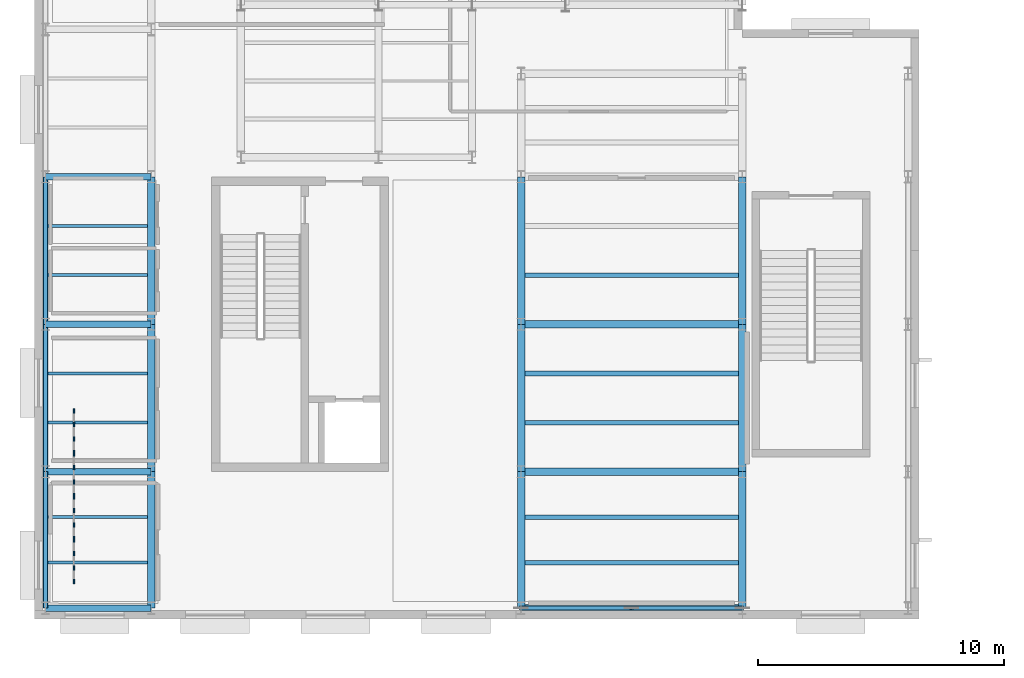
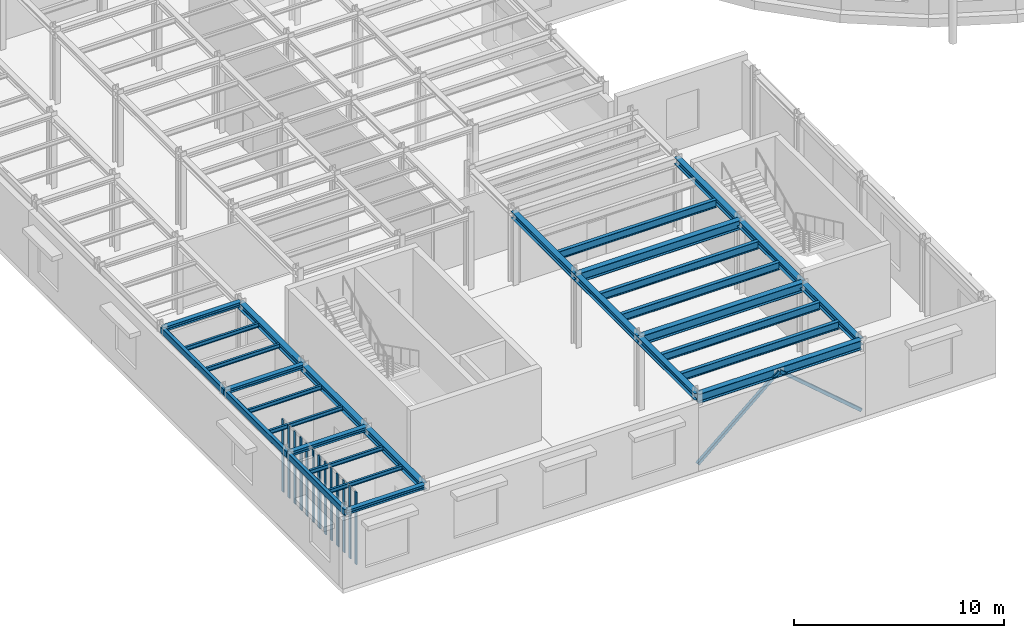
# One storey, part 17 of 91: 30 beams, 18 members, 4 elements without a shape of their own.
"""IFC4 building model written with IfcOpenShell, lengths in metres."""

from ifc_helpers import new_model, si_unit, direction, frame, origin, origin_2d, place, context, subcontext, project, spatial, rectangle, hollow_rectangle, i_section, extrude, material, material_profile, profile_set, type_object, element, aggregate, save


model = new_model("IFC4")

# Units and contexts
model_context = context("Model", 3, precision=1e-05, world=origin(), true_north=direction((0.0, 1.0)))
body_context = subcontext(model_context, "Body", "Model", "MODEL_VIEW")
ifc_project = project(units=[si_unit("LENGTHUNIT", "METRE"), si_unit("AREAUNIT", "SQUARE_METRE"), si_unit("VOLUMEUNIT", "CUBIC_METRE"), si_unit("PLANEANGLEUNIT", "RADIAN"), si_unit("MASSUNIT", "GRAM", prefix="KILO")], contexts=[model_context])

# Site, building, storey
site_placement = place(None, origin())
site = spatial("IfcSite", under=ifc_project, at=site_placement, CompositionType="ELEMENT")
building_placement = place(site_placement, origin())
building = spatial("IfcBuilding", under=site, at=building_placement, Name="Kolvaren Corner Interchange", CompositionType="ELEMENT")
storey_placement = place(building_placement, frame((0.0, 0.0, 6.0)))
storey = spatial("IfcBuildingStorey", under=building, at=storey_placement, Name="L02", CompositionType="ELEMENT", Elevation=6.0)

# Beams
ifc_material_1 = material(Name="Steel S355", Category="steel")
ifc_material_profile_1 = material_profile(ifc_material_1, i_section(OverallWidth=0.260009765625, OverallDepth=0.25, WebThickness=0.007568359375, FlangeThickness=0.012451171875, FilletRadius=0.02392578125, at=origin_2d()), Name="HEA 260")
ifc_profile_set_1 = profile_set([ifc_material_profile_1], Name="Steel S355")
beam_type_1 = type_object("IfcBeamType", Name="BM-HEA260", PredefinedType="BEAM", material=ifc_profile_set_1)
for number, where, z_axis, x_axis, name in (
    (1, (0.449951171875, 0.449951171875, 4.125), (1.0, 0.0, 0.0), (0.0, 1.0, 0.0), "Storey L02 Grid X Primary Girder 0670"),
    (2, (0.449951171875, 6.0, 4.125), (1.0, 0.0, 0.0), (0.0, 1.0, 0.0), "Storey L02 Grid X Primary Girder 0672"),
    (3, (0.449951171875, 12.0, 4.125), (1.0, 0.0, 0.0), (0.0, 1.0, 0.0), "Storey L02 Grid X Primary Girder 0674"),
    (4, (0.449951171875, 18.0, 4.125), (1.0, 0.0, 0.0), (0.0, 1.0, 0.0), "Storey L02 Grid X Primary Girder 0679"),
):
    element("IfcBeam", number, at=place(storey_placement, frame(where, z_axis=z_axis, x_axis=x_axis)), inside=storey, type_object=beam_type_1, Name=name, PredefinedType="BEAM", context=body_context, shape_type="SweptSolid", body=[
        extrude(i_section(OverallWidth=0.260009765625, OverallDepth=0.25, WebThickness=0.007568359375, FlangeThickness=0.012451171875, FilletRadius=0.02392578125, at=origin_2d()), origin(), (0.0, 0.0, 1.0), 4.300048828125),
    ])
ifc_material_2 = material(Name="Steel S355", Category="steel")
ifc_material_profile_2 = material_profile(ifc_material_2, i_section(OverallWidth=0.300048828125, OverallDepth=0.389892578125, WebThickness=0.010986328125, FlangeThickness=0.01904296875, FilletRadius=0.027099609375, at=origin_2d()), Name="HEA 400")
ifc_profile_set_2 = profile_set([ifc_material_profile_2], Name="Steel S355")
beam_type_2 = type_object("IfcBeamType", Name="BM-HEA400", PredefinedType="BEAM", material=ifc_profile_set_2)
beam_1_placement = place(storey_placement, frame((4.75, 0.449951171875, 4.054931640625), z_axis=(0.0, 1.0, 0.0), x_axis=(-1.0, 0.0, 0.0)))
element("IfcBeam", 5, at=beam_1_placement, inside=storey, type_object=beam_type_2, Name="Storey L02 Grid Y Primary Girder 0754", PredefinedType="BEAM", context=body_context, shape_type="SweptSolid", body=[
    extrude(i_section(OverallWidth=0.300048828125, OverallDepth=0.389892578125, WebThickness=0.010986328125, FlangeThickness=0.01904296875, FilletRadius=0.027099609375, at=origin_2d()), origin(), (0.0, 0.0, 1.0), 5.550048828125),
])
for number, where, z_axis, x_axis, name in (
    (6, (4.75, 6.0, 4.054931640625), (0.0, 1.0, 0.0), (-1.0, 0.0, 0.0), "Storey L02 Grid Y Primary Girder 0755"),
    (7, (4.75, 12.0, 4.054931640625), (0.0, 1.0, 0.0), (-1.0, 0.0, 0.0), "Storey L02 Grid Y Primary Girder 0756"),
):
    element("IfcBeam", number, at=place(storey_placement, frame(where, z_axis=z_axis, x_axis=x_axis)), inside=storey, type_object=beam_type_2, Name=name, PredefinedType="BEAM", context=body_context, shape_type="SweptSolid", body=[
        extrude(i_section(OverallWidth=0.300048828125, OverallDepth=0.389892578125, WebThickness=0.010986328125, FlangeThickness=0.01904296875, FilletRadius=0.027099609375, at=origin_2d()), origin(), (0.0, 0.0, 1.0), 6.0),
    ])
beam_2_placement = place(storey_placement, frame((19.800048828125, 0.449951171875, 4.054931640625), z_axis=(0.0, 1.0, 0.0), x_axis=(-1.0, 0.0, 0.0)))
element("IfcBeam", 8, at=beam_2_placement, inside=storey, type_object=beam_type_2, Name="Storey L02 Grid Y Primary Girder 0770", PredefinedType="BEAM", context=body_context, shape_type="SweptSolid", body=[
    extrude(i_section(OverallWidth=0.300048828125, OverallDepth=0.389892578125, WebThickness=0.010986328125, FlangeThickness=0.01904296875, FilletRadius=0.027099609375, at=origin_2d()), origin(), (0.0, 0.0, 1.0), 5.550048828125),
])
for number, where, z_axis, x_axis, name in (
    (9, (19.800048828125, 6.0, 4.054931640625), (0.0, 1.0, 0.0), (-1.0, 0.0, 0.0), "Storey L02 Grid Y Primary Girder 0771"),
    (10, (19.800048828125, 12.0, 4.054931640625), (0.0, 1.0, 0.0), (-1.0, 0.0, 0.0), "Storey L02 Grid Y Primary Girder 0772"),
):
    element("IfcBeam", number, at=place(storey_placement, frame(where, z_axis=z_axis, x_axis=x_axis)), inside=storey, type_object=beam_type_2, Name=name, PredefinedType="BEAM", context=body_context, shape_type="SweptSolid", body=[
        extrude(i_section(OverallWidth=0.300048828125, OverallDepth=0.389892578125, WebThickness=0.010986328125, FlangeThickness=0.01904296875, FilletRadius=0.027099609375, at=origin_2d()), origin(), (0.0, 0.0, 1.0), 6.0),
    ])
beam_3_placement = place(storey_placement, frame((28.800048828125, 0.449951171875, 4.054931640625), z_axis=(0.0, 1.0, 0.0), x_axis=(-1.0, 0.0, 0.0)))
element("IfcBeam", 11, at=beam_3_placement, inside=storey, type_object=beam_type_2, Name="Storey L02 Grid Y Primary Girder 0776", PredefinedType="BEAM", context=body_context, shape_type="SweptSolid", body=[
    extrude(i_section(OverallWidth=0.300048828125, OverallDepth=0.389892578125, WebThickness=0.010986328125, FlangeThickness=0.01904296875, FilletRadius=0.027099609375, at=origin_2d()), origin(), (0.0, 0.0, 1.0), 5.550048828125),
])
for number, where, z_axis, x_axis, name in (
    (12, (28.800048828125, 6.0, 4.054931640625), (0.0, 1.0, 0.0), (-1.0, 0.0, 0.0), "Storey L02 Grid Y Primary Girder 0777"),
    (13, (28.800048828125, 12.0, 4.054931640625), (0.0, 1.0, 0.0), (-1.0, 0.0, 0.0), "Storey L02 Grid Y Primary Girder 0778"),
):
    element("IfcBeam", number, at=place(storey_placement, frame(where, z_axis=z_axis, x_axis=x_axis)), inside=storey, type_object=beam_type_2, Name=name, PredefinedType="BEAM", context=body_context, shape_type="SweptSolid", body=[
        extrude(i_section(OverallWidth=0.300048828125, OverallDepth=0.389892578125, WebThickness=0.010986328125, FlangeThickness=0.01904296875, FilletRadius=0.027099609375, at=origin_2d()), origin(), (0.0, 0.0, 1.0), 6.0),
    ])
ifc_material_3 = material(Name="Steel S355", Category="steel")
ifc_material_profile_3 = material_profile(ifc_material_3, i_section(OverallWidth=0.300048828125, OverallDepth=0.5400390625, WebThickness=0.012451171875, FlangeThickness=0.02392578125, FilletRadius=0.027099609375, at=origin_2d()), Name="HEA 550")
ifc_profile_set_3 = profile_set([ifc_material_profile_3], Name="Steel S355")
beam_type_3 = type_object("IfcBeamType", Name="BM-HEA550", PredefinedType="BEAM", material=ifc_profile_set_3)
for number, where, z_axis, x_axis, name in (
    (14, (19.800048828125, 0.449951171875, 3.97998046875), (1.0, 0.0, 0.0), (0.0, 1.0, 0.0), "Storey L02 Grid X Primary Girder 0671"),
    (15, (19.800048828125, 6.0, 3.97998046875), (1.0, 0.0, 0.0), (0.0, 1.0, 0.0), "Storey L02 Grid X Primary Girder 0673"),
    (16, (19.800048828125, 12.0, 3.97998046875), (1.0, 0.0, 0.0), (0.0, 1.0, 0.0), "Storey L02 Grid X Primary Girder 0675"),
):
    element("IfcBeam", number, at=place(storey_placement, frame(where, z_axis=z_axis, x_axis=x_axis)), inside=storey, type_object=beam_type_3, Name=name, PredefinedType="BEAM", context=body_context, shape_type="SweptSolid", body=[
        extrude(i_section(OverallWidth=0.300048828125, OverallDepth=0.5400390625, WebThickness=0.012451171875, FlangeThickness=0.02392578125, FilletRadius=0.027099609375, at=origin_2d()), origin(), (0.0, 0.0, 1.0), 9.0),
    ])
ifc_material_4 = material(Name="Steel S355", Category="steel")
ifc_material_profile_4 = material_profile(ifc_material_4, i_section(OverallWidth=0.1201171875, OverallDepth=0.239990234375, WebThickness=0.006103515625, FlangeThickness=0.009765625, FilletRadius=0.014892578125, at=origin_2d()), Name="IPE 240")
ifc_profile_set_4 = profile_set([ifc_material_profile_4], Name="Steel S355")
beam_type_4 = type_object("IfcBeamType", Name="JS-IPE240", PredefinedType="JOIST", material=ifc_profile_set_4)
for number, where, z_axis, x_axis, name in (
    (17, (0.550048828125, 2.300048828125, 4.1298828125), (1.0, 0.0, 0.0), (0.0, 1.0, 0.0), "Storey L02 Composite Floor Joist 0639"),
    (18, (0.550048828125, 4.14990234375, 4.1298828125), (1.0, 0.0, 0.0), (0.0, 1.0, 0.0), "Storey L02 Composite Floor Joist 0640"),
    (19, (0.550048828125, 8.0, 4.1298828125), (1.0, 0.0, 0.0), (0.0, 1.0, 0.0), "Storey L02 Composite Floor Joist 0641"),
    (20, (0.550048828125, 10.0, 4.1298828125), (1.0, 0.0, 0.0), (0.0, 1.0, 0.0), "Storey L02 Composite Floor Joist 0642"),
    (21, (0.550048828125, 14.0, 4.1298828125), (1.0, 0.0, 0.0), (0.0, 1.0, 0.0), "Storey L02 Composite Floor Joist 0643"),
    (22, (0.550048828125, 16.0, 4.1298828125), (1.0, 0.0, 0.0), (0.0, 1.0, 0.0), "Storey L02 Composite Floor Joist 0644"),
):
    element("IfcBeam", number, at=place(storey_placement, frame(where, z_axis=z_axis, x_axis=x_axis)), inside=storey, type_object=beam_type_4, Name=name, PredefinedType="JOIST", context=body_context, shape_type="SweptSolid", body=[
        extrude(i_section(OverallWidth=0.1201171875, OverallDepth=0.239990234375, WebThickness=0.006103515625, FlangeThickness=0.009765625, FilletRadius=0.014892578125, at=origin_2d()), origin(), (0.0, 0.0, 1.0), 4.050048828125),
    ])
ifc_material_5 = material(Name="Steel S355", Category="steel")
ifc_material_profile_5 = material_profile(ifc_material_5, i_section(OverallWidth=0.18994140625, OverallDepth=0.449951171875, WebThickness=0.009521484375, FlangeThickness=0.0146484375, FilletRadius=0.02099609375, at=origin_2d()), Name="IPE 450")
ifc_profile_set_5 = profile_set([ifc_material_profile_5], Name="Steel S355")
beam_type_5 = type_object("IfcBeamType", Name="JS-IPE450", PredefinedType="JOIST", material=ifc_profile_set_5)
for number, where, z_axis, x_axis, name in (
    (23, (19.949951171875, 2.300048828125, 4.02490234375), (1.0, 0.0, 0.0), (0.0, 1.0, 0.0), "Storey L02 Composite Floor Joist 0674"),
    (24, (19.949951171875, 4.14990234375, 4.02490234375), (1.0, 0.0, 0.0), (0.0, 1.0, 0.0), "Storey L02 Composite Floor Joist 0675"),
    (25, (19.949951171875, 8.0, 4.02490234375), (1.0, 0.0, 0.0), (0.0, 1.0, 0.0), "Storey L02 Composite Floor Joist 0676"),
    (26, (19.949951171875, 10.0, 4.02490234375), (1.0, 0.0, 0.0), (0.0, 1.0, 0.0), "Storey L02 Composite Floor Joist 0677"),
    (27, (19.949951171875, 14.0, 4.02490234375), (1.0, 0.0, 0.0), (0.0, 1.0, 0.0), "Storey L02 Composite Floor Joist 0678"),
):
    element("IfcBeam", number, at=place(storey_placement, frame(where, z_axis=z_axis, x_axis=x_axis)), inside=storey, type_object=beam_type_5, Name=name, PredefinedType="JOIST", context=body_context, shape_type="SweptSolid", body=[
        extrude(i_section(OverallWidth=0.18994140625, OverallDepth=0.449951171875, WebThickness=0.009521484375, FlangeThickness=0.0146484375, FilletRadius=0.02099609375, at=origin_2d()), origin(), (0.0, 0.0, 1.0), 8.699951171875),
    ])

# Members
ifc_material_6 = material(Name="Steel S355", Category="steel")
ifc_material_profile_6 = material_profile(ifc_material_6, hollow_rectangle(XDim=0.179931640625, YDim=0.179931640625, WallThickness=0.010009765625, InnerFilletRadius=0.010009765625, OuterFilletRadius=0.02001953125, at=origin_2d()), Name="SHS 180x180x10.0")
ifc_profile_set_6 = profile_set([ifc_material_profile_6], Name="Steel S355")
member_type_1 = type_object("IfcMemberType", Name="MEM-BR-SHS180", PredefinedType="BRACE", material=ifc_profile_set_6)
for number, where, z_axis, x_axis, name in (
    (28, (19.800048828125, 0.449951171875, 0.1201171875), (0.759029824032, 0.0, 0.651055854923), (0.0, 1.0, 0.0), "Storey L02 Lateral Chevron Steel Brace 02 Left"),
    (29, (28.800048828125, 0.449951171875, 0.1201171875), (-0.759029824032, 0.0, 0.651055854923), (0.0, -1.0, 0.0), "Storey L02 Lateral Chevron Steel Brace 02 Right"),
):
    element("IfcMember", number, at=place(storey_placement, frame(where, z_axis=z_axis, x_axis=x_axis)), inside=storey, type_object=member_type_1, Name=name, PredefinedType="BRACE", context=body_context, shape_type="SweptSolid", body=[
        extrude(hollow_rectangle(XDim=0.179931640625, YDim=0.179931640625, WallThickness=0.010009765625, InnerFilletRadius=0.010009765625, OuterFilletRadius=0.02001953125, at=origin_2d()), origin(), (0.0, 0.0, 1.0), 5.9287109375),
    ])

# Curtain wall, members
ifc_material_7 = material(Name="Unitised Aluminium and Solar-Control Glass Curtain Wall", Category="aluminium")
curtain_wall_type = type_object("IfcCurtainWallType", Name="CW-V5-LOGGIA", PredefinedType="NOTDEFINED", material=ifc_material_7)
curtain_wall_1_placement = place(storey_placement, origin())
curtain_wall_1 = element("IfcCurtainWall", 30, at=curtain_wall_1_placement, inside=storey, type_object=curtain_wall_type, Name="Corner Loggia L02 Curtain Wall Bay 01", PredefinedType="NOTDEFINED")
ifc_material_8 = material(Name="Anodised Aluminium Framing", Category="aluminium")
ifc_material_profile_7 = material_profile(ifc_material_8, rectangle(XDim=0.06005859375, YDim=0.179931640625, at=origin_2d()), Name="ALU 60x180")
ifc_profile_set_7 = profile_set([ifc_material_profile_7], Name="Anodised Aluminium Framing")
member_type_2 = type_object("IfcMemberType", Name="MUL-ALU60x180", PredefinedType="MULLION", material=ifc_profile_set_7)
member_1_placement = place(storey_placement, frame((1.60009765625, 1.530029296875, 0.0), z_axis=(0.0, 0.0, 1.0), x_axis=(-1.0, 0.0, 0.0)))
member_1 = element("IfcMember", 31, at=member_1_placement, type_object=member_type_2, Name="CW-154 mullion 1", PredefinedType="MULLION", context=body_context, shape_type="SweptSolid", body=[
    extrude(rectangle(XDim=0.06005859375, YDim=0.179931640625, at=origin_2d()), origin(), (0.0, 0.0, 1.0), 4.219970703125),
])
member_2_placement = place(storey_placement, frame((1.60009765625, 2.083251953125, 0.0), z_axis=(0.0, 0.0, 1.0), x_axis=(-1.0, 0.0, 0.0)))
member_2 = element("IfcMember", 32, at=member_2_placement, type_object=member_type_2, Name="CW-154 mullion 2", PredefinedType="MULLION", context=body_context, shape_type="SweptSolid", body=[
    extrude(rectangle(XDim=0.06005859375, YDim=0.179931640625, at=origin_2d()), origin(), (0.0, 0.0, 1.0), 4.219970703125),
])
member_3_placement = place(storey_placement, frame((1.60009765625, 2.666748046875, 0.0), z_axis=(0.0, 0.0, 1.0), x_axis=(-1.0, 0.0, 0.0)))
member_3 = element("IfcMember", 33, at=member_3_placement, type_object=member_type_2, Name="CW-154 mullion 3", PredefinedType="MULLION", context=body_context, shape_type="SweptSolid", body=[
    extrude(rectangle(XDim=0.06005859375, YDim=0.179931640625, at=origin_2d()), origin(), (0.0, 0.0, 1.0), 4.219970703125),
])
member_4_placement = place(storey_placement, frame((1.60009765625, 3.219970703125, 0.0), z_axis=(0.0, 0.0, 1.0), x_axis=(-1.0, 0.0, 0.0)))
member_4 = element("IfcMember", 34, at=member_4_placement, type_object=member_type_2, Name="CW-154 mullion 4", PredefinedType="MULLION", context=body_context, shape_type="SweptSolid", body=[
    extrude(rectangle(XDim=0.06005859375, YDim=0.179931640625, at=origin_2d()), origin(), (0.0, 0.0, 1.0), 4.219970703125),
])
aggregate(curtain_wall_1, [member_1, member_2, member_3, member_4])

curtain_wall_2_placement = place(storey_placement, origin())
curtain_wall_2 = element("IfcCurtainWall", 35, at=curtain_wall_2_placement, inside=storey, type_object=curtain_wall_type, Name="Corner Loggia L02 Curtain Wall Bay 02", PredefinedType="NOTDEFINED")
member_5_placement = place(storey_placement, frame((1.60009765625, 3.280029296875, 0.0), z_axis=(0.0, 0.0, 1.0), x_axis=(-1.0, 0.0, 0.0)))
member_5 = element("IfcMember", 36, at=member_5_placement, type_object=member_type_2, Name="CW-155 mullion 1", PredefinedType="MULLION", context=body_context, shape_type="SweptSolid", body=[
    extrude(rectangle(XDim=0.06005859375, YDim=0.179931640625, at=origin_2d()), origin(), (0.0, 0.0, 1.0), 4.219970703125),
])
member_6_placement = place(storey_placement, frame((1.60009765625, 3.833251953125, 0.0), z_axis=(0.0, 0.0, 1.0), x_axis=(-1.0, 0.0, 0.0)))
member_6 = element("IfcMember", 37, at=member_6_placement, type_object=member_type_2, Name="CW-155 mullion 2", PredefinedType="MULLION", context=body_context, shape_type="SweptSolid", body=[
    extrude(rectangle(XDim=0.06005859375, YDim=0.179931640625, at=origin_2d()), origin(), (0.0, 0.0, 1.0), 4.219970703125),
])
member_7_placement = place(storey_placement, frame((1.60009765625, 4.416748046875, 0.0), z_axis=(0.0, 0.0, 1.0), x_axis=(-1.0, 0.0, 0.0)))
member_7 = element("IfcMember", 38, at=member_7_placement, type_object=member_type_2, Name="CW-155 mullion 3", PredefinedType="MULLION", context=body_context, shape_type="SweptSolid", body=[
    extrude(rectangle(XDim=0.06005859375, YDim=0.179931640625, at=origin_2d()), origin(), (0.0, 0.0, 1.0), 4.219970703125),
])
member_8_placement = place(storey_placement, frame((1.60009765625, 4.969970703125, 0.0), z_axis=(0.0, 0.0, 1.0), x_axis=(-1.0, 0.0, 0.0)))
member_8 = element("IfcMember", 39, at=member_8_placement, type_object=member_type_2, Name="CW-155 mullion 4", PredefinedType="MULLION", context=body_context, shape_type="SweptSolid", body=[
    extrude(rectangle(XDim=0.06005859375, YDim=0.179931640625, at=origin_2d()), origin(), (0.0, 0.0, 1.0), 4.219970703125),
])
aggregate(curtain_wall_2, [member_5, member_6, member_7, member_8])

curtain_wall_3_placement = place(storey_placement, origin())
curtain_wall_3 = element("IfcCurtainWall", 40, at=curtain_wall_3_placement, inside=storey, type_object=curtain_wall_type, Name="Corner Loggia L02 Curtain Wall Bay 03", PredefinedType="NOTDEFINED")
member_9_placement = place(storey_placement, frame((1.60009765625, 5.030029296875, 0.0), z_axis=(0.0, 0.0, 1.0), x_axis=(-1.0, 0.0, 0.0)))
member_9 = element("IfcMember", 41, at=member_9_placement, type_object=member_type_2, Name="CW-156 mullion 1", PredefinedType="MULLION", context=body_context, shape_type="SweptSolid", body=[
    extrude(rectangle(XDim=0.06005859375, YDim=0.179931640625, at=origin_2d()), origin(), (0.0, 0.0, 1.0), 4.219970703125),
])
member_10_placement = place(storey_placement, frame((1.60009765625, 5.583251953125, 0.0), z_axis=(0.0, 0.0, 1.0), x_axis=(-1.0, 0.0, 0.0)))
member_10 = element("IfcMember", 42, at=member_10_placement, type_object=member_type_2, Name="CW-156 mullion 2", PredefinedType="MULLION", context=body_context, shape_type="SweptSolid", body=[
    extrude(rectangle(XDim=0.06005859375, YDim=0.179931640625, at=origin_2d()), origin(), (0.0, 0.0, 1.0), 4.219970703125),
])
member_11_placement = place(storey_placement, frame((1.60009765625, 6.166748046875, 0.0), z_axis=(0.0, 0.0, 1.0), x_axis=(-1.0, 0.0, 0.0)))
member_11 = element("IfcMember", 43, at=member_11_placement, type_object=member_type_2, Name="CW-156 mullion 3", PredefinedType="MULLION", context=body_context, shape_type="SweptSolid", body=[
    extrude(rectangle(XDim=0.06005859375, YDim=0.179931640625, at=origin_2d()), origin(), (0.0, 0.0, 1.0), 4.219970703125),
])
member_12_placement = place(storey_placement, frame((1.60009765625, 6.719970703125, 0.0), z_axis=(0.0, 0.0, 1.0), x_axis=(-1.0, 0.0, 0.0)))
member_12 = element("IfcMember", 44, at=member_12_placement, type_object=member_type_2, Name="CW-156 mullion 4", PredefinedType="MULLION", context=body_context, shape_type="SweptSolid", body=[
    extrude(rectangle(XDim=0.06005859375, YDim=0.179931640625, at=origin_2d()), origin(), (0.0, 0.0, 1.0), 4.219970703125),
])
aggregate(curtain_wall_3, [member_9, member_10, member_11, member_12])

curtain_wall_4_placement = place(storey_placement, origin())
curtain_wall_4 = element("IfcCurtainWall", 45, at=curtain_wall_4_placement, inside=storey, type_object=curtain_wall_type, Name="Corner Loggia L02 Curtain Wall Bay 04", PredefinedType="NOTDEFINED")
member_13_placement = place(storey_placement, frame((1.60009765625, 6.780029296875, 0.0), z_axis=(0.0, 0.0, 1.0), x_axis=(-1.0, 0.0, 0.0)))
member_13 = element("IfcMember", 46, at=member_13_placement, type_object=member_type_2, Name="CW-157 mullion 1", PredefinedType="MULLION", context=body_context, shape_type="SweptSolid", body=[
    extrude(rectangle(XDim=0.06005859375, YDim=0.179931640625, at=origin_2d()), origin(), (0.0, 0.0, 1.0), 4.219970703125),
])
member_14_placement = place(storey_placement, frame((1.60009765625, 7.333251953125, 0.0), z_axis=(0.0, 0.0, 1.0), x_axis=(-1.0, 0.0, 0.0)))
member_14 = element("IfcMember", 47, at=member_14_placement, type_object=member_type_2, Name="CW-157 mullion 2", PredefinedType="MULLION", context=body_context, shape_type="SweptSolid", body=[
    extrude(rectangle(XDim=0.06005859375, YDim=0.179931640625, at=origin_2d()), origin(), (0.0, 0.0, 1.0), 4.219970703125),
])
member_15_placement = place(storey_placement, frame((1.60009765625, 7.916748046875, 0.0), z_axis=(0.0, 0.0, 1.0), x_axis=(-1.0, 0.0, 0.0)))
member_15 = element("IfcMember", 48, at=member_15_placement, type_object=member_type_2, Name="CW-157 mullion 3", PredefinedType="MULLION", context=body_context, shape_type="SweptSolid", body=[
    extrude(rectangle(XDim=0.06005859375, YDim=0.179931640625, at=origin_2d()), origin(), (0.0, 0.0, 1.0), 4.219970703125),
])
member_16_placement = place(storey_placement, frame((1.60009765625, 8.469970703125, 0.0), z_axis=(0.0, 0.0, 1.0), x_axis=(-1.0, 0.0, 0.0)))
member_16 = element("IfcMember", 49, at=member_16_placement, type_object=member_type_2, Name="CW-157 mullion 4", PredefinedType="MULLION", context=body_context, shape_type="SweptSolid", body=[
    extrude(rectangle(XDim=0.06005859375, YDim=0.179931640625, at=origin_2d()), origin(), (0.0, 0.0, 1.0), 4.219970703125),
])
aggregate(curtain_wall_4, [member_13, member_14, member_15, member_16])

# Beams
ifc_material_9 = material(Name="Steel S355", Category="steel")
ifc_material_profile_8 = material_profile(ifc_material_9, hollow_rectangle(XDim=0.199951171875, YDim=0.35009765625, WallThickness=0.012451171875, InnerFilletRadius=0.012451171875, OuterFilletRadius=0.02490234375, at=origin_2d()), Name="RHS 350x200x12.5")
ifc_profile_set_8 = profile_set([ifc_material_profile_8], Name="Steel S355")
beam_type_6 = type_object("IfcBeamType", Name="SP-RHS350", PredefinedType="SPANDREL", material=ifc_profile_set_8)
beam_4_placement = place(storey_placement, frame((0.449951171875, 0.449951171875, 4.074951171875), z_axis=(0.0, 1.0, 0.0), x_axis=(-1.0, 0.0, 0.0)))
element("IfcBeam", 50, at=beam_4_placement, inside=storey, type_object=beam_type_6, Name="Storey L02 Grid Y Primary Girder 0740", PredefinedType="SPANDREL", context=body_context, shape_type="SweptSolid", body=[
    extrude(hollow_rectangle(XDim=0.199951171875, YDim=0.35009765625, WallThickness=0.012451171875, InnerFilletRadius=0.012451171875, OuterFilletRadius=0.02490234375, at=origin_2d()), origin(), (0.0, 0.0, 1.0), 5.550048828125),
])
for number, where, z_axis, x_axis, name in (
    (51, (0.449951171875, 6.0, 4.074951171875), (0.0, 1.0, 0.0), (-1.0, 0.0, 0.0), "Storey L02 Grid Y Primary Girder 0741"),
    (52, (0.449951171875, 12.0, 4.074951171875), (0.0, 1.0, 0.0), (-1.0, 0.0, 0.0), "Storey L02 Grid Y Primary Girder 0742"),
):
    element("IfcBeam", number, at=place(storey_placement, frame(where, z_axis=z_axis, x_axis=x_axis)), inside=storey, type_object=beam_type_6, Name=name, PredefinedType="SPANDREL", context=body_context, shape_type="SweptSolid", body=[
        extrude(hollow_rectangle(XDim=0.199951171875, YDim=0.35009765625, WallThickness=0.012451171875, InnerFilletRadius=0.012451171875, OuterFilletRadius=0.02490234375, at=origin_2d()), origin(), (0.0, 0.0, 1.0), 6.0),
    ])

save(model, "model.ifc")
